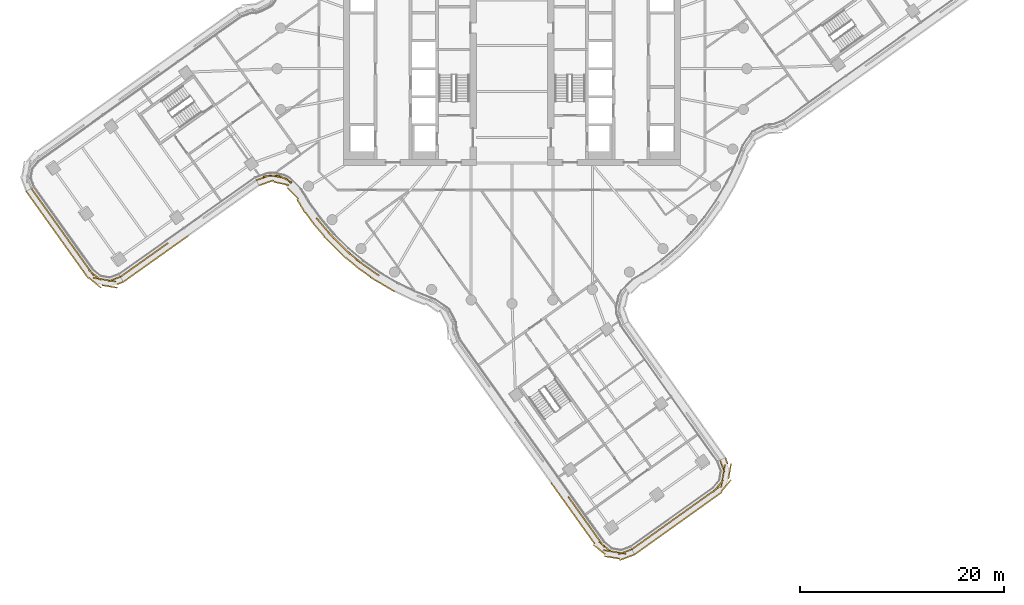
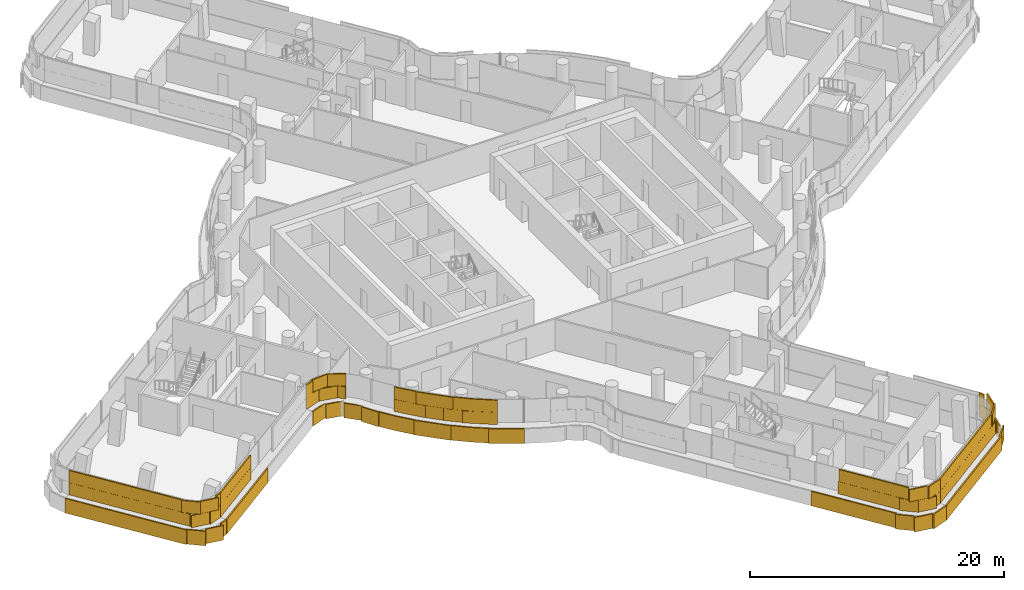
# One storey, part 25 of 31: 5 coverings.
"""IFC4 building model written with IfcOpenShell, lengths in metres."""

from ifc_helpers import new_model, si_unit, direction, frame, origin, origin_2d, place, context, subcontext, project, spatial, rectangle, extrude, material, layer, layer_set, type_object, element, save


model = new_model("IFC4")

# Units and contexts
model_context = context("Model", 3, precision=1e-05, world=origin(), true_north=direction((0.0, 1.0)))
body_context = subcontext(model_context, "Body", "Model", "MODEL_VIEW")
ifc_project = project(units=[si_unit("LENGTHUNIT", "METRE"), si_unit("AREAUNIT", "SQUARE_METRE"), si_unit("VOLUMEUNIT", "CUBIC_METRE"), si_unit("PLANEANGLEUNIT", "RADIAN"), si_unit("MASSUNIT", "GRAM", prefix="KILO")], contexts=[model_context])

# Site, building, storey
site_placement = place(None, origin())
site = spatial("IfcSite", under=ifc_project, at=site_placement, CompositionType="ELEMENT")
building_placement = place(site_placement, origin())
building = spatial("IfcBuilding", under=site, at=building_placement, Name="Tamarind Cross Interchange Tower", CompositionType="ELEMENT")
storey_placement = place(building_placement, frame((0.0, 0.0, 163.0)))
storey = spatial("IfcBuildingStorey", under=building, at=storey_placement, Name="L40", CompositionType="ELEMENT", Elevation=163.0)

# Coverings
ifc_material = material(Name="Terracotta", Category="masonry")
ifc_layer = layer(ifc_material, 0.1201171875)
ifc_layer_set = layer_set([ifc_layer], Name="Terracotta")
covering_type = type_object("IfcCoveringType", Name="Terracotta baguette screen unit", PredefinedType="MOLDING", material=ifc_layer_set)
covering_1_placement = place(storey_placement, origin())
element("IfcCovering", 1, at=covering_1_placement, inside=storey, type_object=covering_type, Name="SCR-L40-00-00", PredefinedType="MOLDING", context=body_context, shape_type="SweptSolid", body=[
    extrude(rectangle(XDim=1.510009765625, YDim=0.1201171875, at=origin_2d()), frame((12.34521484375, -46.62744140625, 1.404052734375), z_axis=(0.0, 0.0, 1.0), x_axis=(0.81388031548, 0.581032556811, 0.0)), (0.0, 0.0, 1.0), 1.1669921875),
    extrude(rectangle(XDim=1.52001953125, YDim=0.1201171875, at=origin_2d()), frame((13.566162109375, -45.755859375, 1.404052734375), z_axis=(0.0, 0.0, 1.0), x_axis=(0.81388031548, 0.581032556811, 0.0)), (0.0, 0.0, 1.0), 1.1669921875),
    extrude(rectangle(XDim=1.52001953125, YDim=0.1201171875, at=origin_2d()), frame((14.786865234375, -44.884521484375, 1.404052734375), z_axis=(0.0, 0.0, 1.0), x_axis=(0.81388031548, 0.581032556811, 0.0)), (0.0, 0.0, 1.0), 1.1669921875),
    extrude(rectangle(XDim=1.52001953125, YDim=0.1201171875, at=origin_2d()), frame((16.0078125, -44.012939453125, 1.404052734375), z_axis=(0.0, 0.0, 1.0), x_axis=(0.81388031548, 0.581032556811, 0.0)), (0.0, 0.0, 1.0), 1.1669921875),
    extrude(rectangle(XDim=1.52001953125, YDim=0.1201171875, at=origin_2d()), frame((17.228515625, -43.141357421875, 1.404052734375), z_axis=(0.0, 0.0, 1.0), x_axis=(0.81388031548, 0.581032556811, 0.0)), (0.0, 0.0, 1.0), 1.1669921875),
    extrude(rectangle(XDim=1.52001953125, YDim=0.1201171875, at=origin_2d()), frame((18.44921875, -42.269775390625, 1.404052734375), z_axis=(0.0, 0.0, 1.0), x_axis=(0.81388031548, 0.581032556811, 0.0)), (0.0, 0.0, 1.0), 1.1669921875),
    extrude(rectangle(XDim=1.52001953125, YDim=0.1201171875, at=origin_2d()), frame((19.670166015625, -41.398193359375, 1.404052734375), z_axis=(0.0, 0.0, 1.0), x_axis=(0.81388031548, 0.581032556811, 0.0)), (0.0, 0.0, 1.0), 1.1669921875),
    extrude(rectangle(XDim=1.52001953125, YDim=0.1201171875, at=origin_2d()), frame((20.599609375, -40.25927734375, 1.404052734375), z_axis=(0.0, 0.0, 1.0), x_axis=(0.164648229139, 0.986352351161, 0.0)), (0.0, 0.0, 1.0), 1.1669921875),
    extrude(rectangle(XDim=1.259521484375, YDim=0.1201171875, at=origin_2d()), frame((20.595947265625, -38.925537109375, 1.404052734375), z_axis=(0.0, 0.0, 1.0), x_axis=(-0.350586626458, 0.936530307758, 0.0)), (0.0, 0.0, 1.0), 1.1669921875),
    extrude(rectangle(XDim=0.760009765625, YDim=0.1201171875, at=origin_2d()), frame((12.0400390625, -46.845458984375, 2.5791015625), z_axis=(0.0, 0.0, 1.0), x_axis=(0.81388031548, 0.581032556811, 0.0)), (0.0, 0.0, 1.0), 1.1669921875),
    extrude(rectangle(XDim=1.52001953125, YDim=0.1201171875, at=origin_2d()), frame((12.95556640625, -46.191650390625, 2.5791015625), z_axis=(0.0, 0.0, 1.0), x_axis=(0.81388031548, 0.581032556811, 0.0)), (0.0, 0.0, 1.0), 1.1669921875),
    extrude(rectangle(XDim=1.52001953125, YDim=0.1201171875, at=origin_2d()), frame((14.176513671875, -45.3203125, 2.5791015625), z_axis=(0.0, 0.0, 1.0), x_axis=(0.81388031548, 0.581032556811, 0.0)), (0.0, 0.0, 1.0), 1.1669921875),
    extrude(rectangle(XDim=1.52001953125, YDim=0.1201171875, at=origin_2d()), frame((15.397216796875, -44.44873046875, 2.5791015625), z_axis=(0.0, 0.0, 1.0), x_axis=(0.81388031548, 0.581032556811, 0.0)), (0.0, 0.0, 1.0), 1.1669921875),
    extrude(rectangle(XDim=1.52001953125, YDim=0.1201171875, at=origin_2d()), frame((16.6181640625, -43.5771484375, 2.5791015625), z_axis=(0.0, 0.0, 1.0), x_axis=(0.81388031548, 0.581032556811, 0.0)), (0.0, 0.0, 1.0), 1.1669921875),
    extrude(rectangle(XDim=1.52001953125, YDim=0.1201171875, at=origin_2d()), frame((17.8388671875, -42.70556640625, 2.5791015625), z_axis=(0.0, 0.0, 1.0), x_axis=(0.81388031548, 0.581032556811, 0.0)), (0.0, 0.0, 1.0), 1.1669921875),
    extrude(rectangle(XDim=1.52001953125, YDim=0.1201171875, at=origin_2d()), frame((19.059814453125, -41.833984375, 2.5791015625), z_axis=(0.0, 0.0, 1.0), x_axis=(0.81388031548, 0.581032556811, 0.0)), (0.0, 0.0, 1.0), 1.1669921875),
    extrude(rectangle(XDim=1.52001953125, YDim=0.1201171875, at=origin_2d()), frame((20.19580078125, -40.87158203125, 2.5791015625), z_axis=(0.0, 0.0, 1.0), x_axis=(0.635765724703, 0.771882078618, 0.0)), (0.0, 0.0, 1.0), 1.1669921875),
    extrude(rectangle(XDim=1.52001953125, YDim=0.1201171875, at=origin_2d()), frame((20.722900390625, -39.51953125, 2.5791015625), z_axis=(0.0, 0.0, 1.0), x_axis=(0.164648229139, 0.986352351161, 0.0)), (0.0, 0.0, 1.0), 1.1669921875),
    extrude(rectangle(XDim=0.509521484375, YDim=0.1201171875, at=origin_2d()), frame((20.46435546875, -38.574462890625, 2.5791015625), z_axis=(0.0, 0.0, 1.0), x_axis=(-0.350586626458, 0.936530307758, 0.0)), (0.0, 0.0, 1.0), 1.1669921875),
    extrude(rectangle(XDim=1.510009765625, YDim=0.1201171875, at=origin_2d()), frame((12.621337890625, -47.1357421875, 0.00390625), z_axis=(0.0, 0.0, 1.0), x_axis=(0.81388031548, 0.581032556811, 0.0)), (0.0, 0.0, 1.0), 1.39208984375),
    extrude(rectangle(XDim=1.52001953125, YDim=0.1201171875, at=origin_2d()), frame((13.838134765625, -46.26708984375, 0.00390625), z_axis=(0.0, 0.0, 1.0), x_axis=(0.81388031548, 0.581032556811, 0.0)), (0.0, 0.0, 1.0), 1.39208984375),
    extrude(rectangle(XDim=1.52001953125, YDim=0.1201171875, at=origin_2d()), frame((15.058837890625, -45.3955078125, 0.00390625), z_axis=(0.0, 0.0, 1.0), x_axis=(0.81388031548, 0.581032556811, 0.0)), (0.0, 0.0, 1.0), 1.39208984375),
    extrude(rectangle(XDim=1.52001953125, YDim=0.1201171875, at=origin_2d()), frame((16.27978515625, -44.52392578125, 0.00390625), z_axis=(0.0, 0.0, 1.0), x_axis=(0.81388031548, 0.581032556811, 0.0)), (0.0, 0.0, 1.0), 1.39208984375),
    extrude(rectangle(XDim=1.52001953125, YDim=0.1201171875, at=origin_2d()), frame((17.50048828125, -43.65234375, 0.00390625), z_axis=(0.0, 0.0, 1.0), x_axis=(0.81388031548, 0.581032556811, 0.0)), (0.0, 0.0, 1.0), 1.39208984375),
    extrude(rectangle(XDim=1.52001953125, YDim=0.1201171875, at=origin_2d()), frame((18.721435546875, -42.78076171875, 0.00390625), z_axis=(0.0, 0.0, 1.0), x_axis=(0.81388031548, 0.581032556811, 0.0)), (0.0, 0.0, 1.0), 1.39208984375),
    extrude(rectangle(XDim=1.52001953125, YDim=0.1201171875, at=origin_2d()), frame((19.942138671875, -41.909423828125, 0.00390625), z_axis=(0.0, 0.0, 1.0), x_axis=(0.81388031548, 0.581032556811, 0.0)), (0.0, 0.0, 1.0), 1.39208984375),
    extrude(rectangle(XDim=1.52001953125, YDim=0.1201171875, at=origin_2d()), frame((20.971435546875, -40.83251953125, 0.00390625), z_axis=(0.0, 0.0, 1.0), x_axis=(0.635765724703, 0.771882078618, 0.0)), (0.0, 0.0, 1.0), 1.39208984375),
    extrude(rectangle(XDim=1.52001953125, YDim=0.1201171875, at=origin_2d()), frame((21.32470703125, -39.4013671875, 0.00390625), z_axis=(0.0, 0.0, 1.0), x_axis=(0.164648229139, 0.986352351161, 0.0)), (0.0, 0.0, 1.0), 1.39208984375),
    extrude(rectangle(XDim=0.676513671875, YDim=0.1201171875, at=origin_2d()), frame((21.0068359375, -38.3857421875, 0.00390625), z_axis=(0.0, 0.0, 1.0), x_axis=(-0.350586626458, 0.936530307758, 0.0)), (0.0, 0.0, 1.0), 1.39208984375),
])
covering_2_placement = place(storey_placement, origin())
element("IfcCovering", 2, at=covering_2_placement, inside=storey, type_object=covering_type, Name="SCR-L40-12-00", PredefinedType="MOLDING", context=body_context, shape_type="SweptSolid", body=[
    extrude(rectangle(XDim=1.510009765625, YDim=0.1201171875, at=origin_2d()), frame((-46.62744140625, -12.34521484375, 1.404052734375), z_axis=(0.0, 0.0, 1.0), x_axis=(0.581032556811, -0.81388031548, 0.0)), (0.0, 0.0, 1.0), 1.1669921875),
    extrude(rectangle(XDim=1.52001953125, YDim=0.1201171875, at=origin_2d()), frame((-45.755859375, -13.566162109375, 1.404052734375), z_axis=(0.0, 0.0, 1.0), x_axis=(0.581032556811, -0.81388031548, 0.0)), (0.0, 0.0, 1.0), 1.1669921875),
    extrude(rectangle(XDim=1.52001953125, YDim=0.1201171875, at=origin_2d()), frame((-44.884521484375, -14.786865234375, 1.404052734375), z_axis=(0.0, 0.0, 1.0), x_axis=(0.581032556811, -0.81388031548, 0.0)), (0.0, 0.0, 1.0), 1.1669921875),
    extrude(rectangle(XDim=1.52001953125, YDim=0.1201171875, at=origin_2d()), frame((-44.012939453125, -16.0078125, 1.404052734375), z_axis=(0.0, 0.0, 1.0), x_axis=(0.581032556811, -0.81388031548, 0.0)), (0.0, 0.0, 1.0), 1.1669921875),
    extrude(rectangle(XDim=1.52001953125, YDim=0.1201171875, at=origin_2d()), frame((-43.141357421875, -17.228515625, 1.404052734375), z_axis=(0.0, 0.0, 1.0), x_axis=(0.581032556811, -0.81388031548, 0.0)), (0.0, 0.0, 1.0), 1.1669921875),
    extrude(rectangle(XDim=1.52001953125, YDim=0.1201171875, at=origin_2d()), frame((-42.269775390625, -18.44921875, 1.404052734375), z_axis=(0.0, 0.0, 1.0), x_axis=(0.581032556811, -0.81388031548, 0.0)), (0.0, 0.0, 1.0), 1.1669921875),
    extrude(rectangle(XDim=1.52001953125, YDim=0.1201171875, at=origin_2d()), frame((-41.398193359375, -19.670166015625, 1.404052734375), z_axis=(0.0, 0.0, 1.0), x_axis=(0.581032556811, -0.81388031548, 0.0)), (0.0, 0.0, 1.0), 1.1669921875),
    extrude(rectangle(XDim=1.52001953125, YDim=0.1201171875, at=origin_2d()), frame((-40.25927734375, -20.599609375, 1.404052734375), z_axis=(0.0, 0.0, 1.0), x_axis=(0.986352351161, -0.164648229139, 0.0)), (0.0, 0.0, 1.0), 1.1669921875),
    extrude(rectangle(XDim=1.259521484375, YDim=0.1201171875, at=origin_2d()), frame((-38.925537109375, -20.595947265625, 1.404052734375), z_axis=(0.0, 0.0, 1.0), x_axis=(0.936530307758, 0.350586626458, 0.0)), (0.0, 0.0, 1.0), 1.1669921875),
    extrude(rectangle(XDim=0.760009765625, YDim=0.1201171875, at=origin_2d()), frame((-46.845458984375, -12.0400390625, 2.5791015625), z_axis=(0.0, 0.0, 1.0), x_axis=(0.581032556811, -0.81388031548, 0.0)), (0.0, 0.0, 1.0), 1.1669921875),
    extrude(rectangle(XDim=1.52001953125, YDim=0.1201171875, at=origin_2d()), frame((-46.191650390625, -12.95556640625, 2.5791015625), z_axis=(0.0, 0.0, 1.0), x_axis=(0.581032556811, -0.81388031548, 0.0)), (0.0, 0.0, 1.0), 1.1669921875),
    extrude(rectangle(XDim=1.52001953125, YDim=0.1201171875, at=origin_2d()), frame((-45.3203125, -14.176513671875, 2.5791015625), z_axis=(0.0, 0.0, 1.0), x_axis=(0.581032556811, -0.81388031548, 0.0)), (0.0, 0.0, 1.0), 1.1669921875),
    extrude(rectangle(XDim=1.52001953125, YDim=0.1201171875, at=origin_2d()), frame((-44.44873046875, -15.397216796875, 2.5791015625), z_axis=(0.0, 0.0, 1.0), x_axis=(0.581032556811, -0.81388031548, 0.0)), (0.0, 0.0, 1.0), 1.1669921875),
    extrude(rectangle(XDim=1.52001953125, YDim=0.1201171875, at=origin_2d()), frame((-43.5771484375, -16.6181640625, 2.5791015625), z_axis=(0.0, 0.0, 1.0), x_axis=(0.581032556811, -0.81388031548, 0.0)), (0.0, 0.0, 1.0), 1.1669921875),
    extrude(rectangle(XDim=1.52001953125, YDim=0.1201171875, at=origin_2d()), frame((-42.70556640625, -17.8388671875, 2.5791015625), z_axis=(0.0, 0.0, 1.0), x_axis=(0.581032556811, -0.81388031548, 0.0)), (0.0, 0.0, 1.0), 1.1669921875),
    extrude(rectangle(XDim=1.52001953125, YDim=0.1201171875, at=origin_2d()), frame((-41.833984375, -19.059814453125, 2.5791015625), z_axis=(0.0, 0.0, 1.0), x_axis=(0.581032556811, -0.81388031548, 0.0)), (0.0, 0.0, 1.0), 1.1669921875),
    extrude(rectangle(XDim=1.52001953125, YDim=0.1201171875, at=origin_2d()), frame((-40.87158203125, -20.19580078125, 2.5791015625), z_axis=(0.0, 0.0, 1.0), x_axis=(0.771882078618, -0.635765724703, 0.0)), (0.0, 0.0, 1.0), 1.1669921875),
    extrude(rectangle(XDim=1.52001953125, YDim=0.1201171875, at=origin_2d()), frame((-39.51953125, -20.722900390625, 2.5791015625), z_axis=(0.0, 0.0, 1.0), x_axis=(0.986352351161, -0.164648229139, 0.0)), (0.0, 0.0, 1.0), 1.1669921875),
    extrude(rectangle(XDim=0.509521484375, YDim=0.1201171875, at=origin_2d()), frame((-38.574462890625, -20.46435546875, 2.5791015625), z_axis=(0.0, 0.0, 1.0), x_axis=(0.936530307758, 0.350586626458, 0.0)), (0.0, 0.0, 1.0), 1.1669921875),
    extrude(rectangle(XDim=1.510009765625, YDim=0.1201171875, at=origin_2d()), frame((-47.1357421875, -12.621337890625, 0.00390625), z_axis=(0.0, 0.0, 1.0), x_axis=(0.581032556811, -0.81388031548, 0.0)), (0.0, 0.0, 1.0), 1.39208984375),
    extrude(rectangle(XDim=1.52001953125, YDim=0.1201171875, at=origin_2d()), frame((-46.26708984375, -13.838134765625, 0.00390625), z_axis=(0.0, 0.0, 1.0), x_axis=(0.581032556811, -0.81388031548, 0.0)), (0.0, 0.0, 1.0), 1.39208984375),
    extrude(rectangle(XDim=1.52001953125, YDim=0.1201171875, at=origin_2d()), frame((-45.3955078125, -15.058837890625, 0.00390625), z_axis=(0.0, 0.0, 1.0), x_axis=(0.581032556811, -0.81388031548, 0.0)), (0.0, 0.0, 1.0), 1.39208984375),
    extrude(rectangle(XDim=1.52001953125, YDim=0.1201171875, at=origin_2d()), frame((-44.52392578125, -16.27978515625, 0.00390625), z_axis=(0.0, 0.0, 1.0), x_axis=(0.581032556811, -0.81388031548, 0.0)), (0.0, 0.0, 1.0), 1.39208984375),
    extrude(rectangle(XDim=1.52001953125, YDim=0.1201171875, at=origin_2d()), frame((-43.65234375, -17.50048828125, 0.00390625), z_axis=(0.0, 0.0, 1.0), x_axis=(0.581032556811, -0.81388031548, 0.0)), (0.0, 0.0, 1.0), 1.39208984375),
    extrude(rectangle(XDim=1.52001953125, YDim=0.1201171875, at=origin_2d()), frame((-42.78076171875, -18.721435546875, 0.00390625), z_axis=(0.0, 0.0, 1.0), x_axis=(0.581032556811, -0.81388031548, 0.0)), (0.0, 0.0, 1.0), 1.39208984375),
    extrude(rectangle(XDim=1.52001953125, YDim=0.1201171875, at=origin_2d()), frame((-41.909423828125, -19.942138671875, 0.00390625), z_axis=(0.0, 0.0, 1.0), x_axis=(0.581032556811, -0.81388031548, 0.0)), (0.0, 0.0, 1.0), 1.39208984375),
    extrude(rectangle(XDim=1.52001953125, YDim=0.1201171875, at=origin_2d()), frame((-40.83251953125, -20.971435546875, 0.00390625), z_axis=(0.0, 0.0, 1.0), x_axis=(0.771882078618, -0.635765724703, 0.0)), (0.0, 0.0, 1.0), 1.39208984375),
    extrude(rectangle(XDim=1.52001953125, YDim=0.1201171875, at=origin_2d()), frame((-39.4013671875, -21.32470703125, 0.00390625), z_axis=(0.0, 0.0, 1.0), x_axis=(0.986352351161, -0.164648229139, 0.0)), (0.0, 0.0, 1.0), 1.39208984375),
    extrude(rectangle(XDim=0.676513671875, YDim=0.1201171875, at=origin_2d()), frame((-38.3857421875, -21.0068359375, 0.00390625), z_axis=(0.0, 0.0, 1.0), x_axis=(0.936530307758, 0.350586626458, 0.0)), (0.0, 0.0, 1.0), 1.39208984375),
])
covering_3_placement = place(storey_placement, origin())
element("IfcCovering", 3, at=covering_3_placement, inside=storey, type_object=covering_type, Name="SCR-L40-13-00", PredefinedType="MOLDING", context=body_context, shape_type="SweptSolid", body=[
    extrude(rectangle(XDim=1.510009765625, YDim=0.1201171875, at=origin_2d()), frame((-37.72900390625, -19.9423828125, 1.404052734375), z_axis=(0.0, 0.0, 1.0), x_axis=(0.815214734027, 0.579158818828, 0.0)), (0.0, 0.0, 1.0), 1.1669921875),
    extrude(rectangle(XDim=1.52001953125, YDim=0.1201171875, at=origin_2d()), frame((-36.50634765625, -19.07373046875, 1.404052734375), z_axis=(0.0, 0.0, 1.0), x_axis=(0.815214734027, 0.579158818828, 0.0)), (0.0, 0.0, 1.0), 1.1669921875),
    extrude(rectangle(XDim=1.52001953125, YDim=0.1201171875, at=origin_2d()), frame((-35.283447265625, -18.205078125, 1.404052734375), z_axis=(0.0, 0.0, 1.0), x_axis=(0.815214734027, 0.579158818828, 0.0)), (0.0, 0.0, 1.0), 1.1669921875),
    extrude(rectangle(XDim=1.236572265625, YDim=0.1201171875, at=origin_2d()), frame((-34.172119140625, -17.41552734375, 1.404052734375), z_axis=(0.0, 0.0, 1.0), x_axis=(0.815214734027, 0.579158818828, 0.0)), (0.0, 0.0, 1.0), 1.1669921875),
    extrude(rectangle(XDim=0.760009765625, YDim=0.1201171875, at=origin_2d()), frame((-38.03466796875, -20.15966796875, 2.5791015625), z_axis=(0.0, 0.0, 1.0), x_axis=(0.815214734027, 0.579158818828, 0.0)), (0.0, 0.0, 1.0), 1.1669921875),
    extrude(rectangle(XDim=1.52001953125, YDim=0.1201171875, at=origin_2d()), frame((-37.11767578125, -19.508056640625, 2.5791015625), z_axis=(0.0, 0.0, 1.0), x_axis=(0.815214734027, 0.579158818828, 0.0)), (0.0, 0.0, 1.0), 1.1669921875),
    extrude(rectangle(XDim=1.52001953125, YDim=0.1201171875, at=origin_2d()), frame((-35.894775390625, -18.639404296875, 2.5791015625), z_axis=(0.0, 0.0, 1.0), x_axis=(0.815214734027, 0.579158818828, 0.0)), (0.0, 0.0, 1.0), 1.1669921875),
    extrude(rectangle(XDim=1.52001953125, YDim=0.1201171875, at=origin_2d()), frame((-34.671875, -17.7705078125, 2.5791015625), z_axis=(0.0, 0.0, 1.0), x_axis=(0.815214734027, 0.579158818828, 0.0)), (0.0, 0.0, 1.0), 1.1669921875),
    extrude(rectangle(XDim=0.486572265625, YDim=0.1201171875, at=origin_2d()), frame((-33.866455078125, -17.1982421875, 2.5791015625), z_axis=(0.0, 0.0, 1.0), x_axis=(0.815214734027, 0.579158818828, 0.0)), (0.0, 0.0, 1.0), 1.1669921875),
    extrude(rectangle(XDim=1.510009765625, YDim=0.1201171875, at=origin_2d()), frame((-37.45361328125, -20.450927734375, 0.00390625), z_axis=(0.0, 0.0, 1.0), x_axis=(0.815214734027, 0.579158818828, 0.0)), (0.0, 0.0, 1.0), 1.39208984375),
    extrude(rectangle(XDim=1.52001953125, YDim=0.1201171875, at=origin_2d()), frame((-36.23486328125, -19.5849609375, 0.00390625), z_axis=(0.0, 0.0, 1.0), x_axis=(0.815214734027, 0.579158818828, 0.0)), (0.0, 0.0, 1.0), 1.39208984375),
    extrude(rectangle(XDim=1.52001953125, YDim=0.1201171875, at=origin_2d()), frame((-35.011962890625, -18.71630859375, 0.00390625), z_axis=(0.0, 0.0, 1.0), x_axis=(0.815214734027, 0.579158818828, 0.0)), (0.0, 0.0, 1.0), 1.39208984375),
    extrude(rectangle(XDim=1.52001953125, YDim=0.1201171875, at=origin_2d()), frame((-33.789306640625, -17.84765625, 0.00390625), z_axis=(0.0, 0.0, 1.0), x_axis=(0.815214734027, 0.579158818828, 0.0)), (0.0, 0.0, 1.0), 1.39208984375),
    extrude(rectangle(XDim=1.52001953125, YDim=0.1201171875, at=origin_2d()), frame((-32.56640625, -16.978759765625, 0.00390625), z_axis=(0.0, 0.0, 1.0), x_axis=(0.815214734027, 0.579158818828, 0.0)), (0.0, 0.0, 1.0), 1.39208984375),
    extrude(rectangle(XDim=0.33447265625, YDim=0.1201171875, at=origin_2d()), frame((-31.82666015625, -16.453369140625, 0.00390625), z_axis=(0.0, 0.0, 1.0), x_axis=(0.815214734027, 0.579158818828, 0.0)), (0.0, 0.0, 1.0), 1.39208984375),
])
covering_4_placement = place(storey_placement, origin())
element("IfcCovering", 4, at=covering_4_placement, inside=storey, type_object=covering_type, Name="SCR-L40-14-00", PredefinedType="MOLDING", context=body_context, shape_type="SweptSolid", body=[
    extrude(rectangle(XDim=1.510009765625, YDim=0.1201171875, at=origin_2d()), frame((-24.32763671875, -10.669921875, 1.404052734375), z_axis=(0.0, 0.0, 1.0), x_axis=(0.941268895253, 0.337657913915, 0.0)), (0.0, 0.0, 1.0), 1.1669921875),
    extrude(rectangle(XDim=1.52001953125, YDim=0.1201171875, at=origin_2d()), frame((-22.86669921875, -10.59814453125, 1.404052734375), z_axis=(0.0, 0.0, 1.0), x_axis=(0.978711265079, -0.205241953817, 0.0)), (0.0, 0.0, 1.0), 1.1669921875),
    extrude(rectangle(XDim=0.699462890625, YDim=0.1201171875, at=origin_2d()), frame((-21.86474609375, -10.995849609375, 1.404052734375), z_axis=(0.0, 0.0, 1.0), x_axis=(0.708745099865, -0.705464657809, 0.0)), (0.0, 0.0, 1.0), 1.1669921875),
    extrude(rectangle(XDim=1.120361328125, YDim=0.1201171875, at=origin_2d()), frame((-18.7998046875, -15.043701171875, 1.404052734375), z_axis=(0.0, 0.0, 1.0), x_axis=(0.64957723968, -0.760295606781, 0.0)), (0.0, 0.0, 1.0), 1.1669921875),
    extrude(rectangle(XDim=1.52001953125, YDim=0.1201171875, at=origin_2d()), frame((-17.951904296875, -16.0361328125, 1.404052734375), z_axis=(0.0, 0.0, 1.0), x_axis=(0.64957723968, -0.760295606781, 0.0)), (0.0, 0.0, 1.0), 1.1669921875),
    extrude(rectangle(XDim=1.52001953125, YDim=0.1201171875, at=origin_2d()), frame((-16.914794921875, -17.1181640625, 1.404052734375), z_axis=(0.0, 0.0, 1.0), x_axis=(0.710143317658, -0.704057148523, 0.0)), (0.0, 0.0, 1.0), 1.1669921875),
    extrude(rectangle(XDim=1.52001953125, YDim=0.1201171875, at=origin_2d()), frame((-15.8193359375, -18.14111328125, 1.404052734375), z_axis=(0.0, 0.0, 1.0), x_axis=(0.765858396687, -0.643009266048, 0.0)), (0.0, 0.0, 1.0), 1.1669921875),
    extrude(rectangle(XDim=1.52001953125, YDim=0.1201171875, at=origin_2d()), frame((-14.667724609375, -19.10205078125, 1.404052734375), z_axis=(0.0, 0.0, 1.0), x_axis=(0.816341886298, -0.577568978284, 0.0)), (0.0, 0.0, 1.0), 1.1669921875),
    extrude(rectangle(XDim=1.267822265625, YDim=0.1201171875, at=origin_2d()), frame((-13.542236328125, -19.8984375, 1.404052734375), z_axis=(0.0, 0.0, 1.0), x_axis=(0.816341886298, -0.577568978284, 0.0)), (0.0, 0.0, 1.0), 1.1669921875),
    extrude(rectangle(XDim=0.760009765625, YDim=0.1201171875, at=origin_2d()), frame((-24.6806640625, -10.796630859375, 2.5791015625), z_axis=(0.0, 0.0, 1.0), x_axis=(0.941268895253, 0.337657913915, 0.0)), (0.0, 0.0, 1.0), 1.1669921875),
    extrude(rectangle(XDim=1.52001953125, YDim=0.1201171875, at=origin_2d()), frame((-23.6044921875, -10.49951171875, 2.5791015625), z_axis=(0.0, 0.0, 1.0), x_axis=(0.997630202336, 0.06880391985, 0.0)), (0.0, 0.0, 1.0), 1.1669921875),
    extrude(rectangle(XDim=1.449462890625, YDim=0.1201171875, at=origin_2d()), frame((-22.18212890625, -10.8017578125, 2.5791015625), z_axis=(0.0, 0.0, 1.0), x_axis=(0.885939688838, -0.463800461127, 0.0)), (0.0, 0.0, 1.0), 1.1669921875),
    extrude(rectangle(XDim=0.370361328125, YDim=0.1201171875, at=origin_2d()), frame((-19.033447265625, -14.750732421875, 2.5791015625), z_axis=(0.0, 0.0, 1.0), x_axis=(0.584573890505, -0.811340475102, 0.0)), (0.0, 0.0, 1.0), 1.1669921875),
    extrude(rectangle(XDim=1.52001953125, YDim=0.1201171875, at=origin_2d()), frame((-18.439208984375, -15.4658203125, 2.5791015625), z_axis=(0.0, 0.0, 1.0), x_axis=(0.64957723968, -0.760295606781, 0.0)), (0.0, 0.0, 1.0), 1.1669921875),
    extrude(rectangle(XDim=1.52001953125, YDim=0.1201171875, at=origin_2d()), frame((-17.447509765625, -16.590087890625, 2.5791015625), z_axis=(0.0, 0.0, 1.0), x_axis=(0.710143317658, -0.704057148523, 0.0)), (0.0, 0.0, 1.0), 1.1669921875),
    extrude(rectangle(XDim=1.52001953125, YDim=0.1201171875, at=origin_2d()), frame((-16.38232421875, -17.646240234375, 2.5791015625), z_axis=(0.0, 0.0, 1.0), x_axis=(0.710143317658, -0.704057148523, 0.0)), (0.0, 0.0, 1.0), 1.1669921875),
    extrude(rectangle(XDim=1.52001953125, YDim=0.1201171875, at=origin_2d()), frame((-15.244873046875, -18.623291015625, 2.5791015625), z_axis=(0.0, 0.0, 1.0), x_axis=(0.765858396687, -0.643009266048, 0.0)), (0.0, 0.0, 1.0), 1.1669921875),
    extrude(rectangle(XDim=1.52001953125, YDim=0.1201171875, at=origin_2d()), frame((-14.0556640625, -19.53515625, 2.5791015625), z_axis=(0.0, 0.0, 1.0), x_axis=(0.816341886298, -0.577568978284, 0.0)), (0.0, 0.0, 1.0), 1.1669921875),
    extrude(rectangle(XDim=0.517822265625, YDim=0.1201171875, at=origin_2d()), frame((-13.236083984375, -20.114990234375, 2.5791015625), z_axis=(0.0, 0.0, 1.0), x_axis=(0.816341886298, -0.577568978284, 0.0)), (0.0, 0.0, 1.0), 1.1669921875),
    extrude(rectangle(XDim=1.510009765625, YDim=0.1201171875, at=origin_2d()), frame((-24.054931640625, -11.181884765625, 0.00390625), z_axis=(0.0, 0.0, 1.0), x_axis=(0.941268895253, 0.337657913915, 0.0)), (0.0, 0.0, 1.0), 1.39208984375),
    extrude(rectangle(XDim=1.52001953125, YDim=0.1201171875, at=origin_2d()), frame((-22.595703125, -11.241455078125, 0.00390625), z_axis=(0.0, 0.0, 1.0), x_axis=(0.978711265079, -0.205241953817, 0.0)), (0.0, 0.0, 1.0), 1.39208984375),
    extrude(rectangle(XDim=1.52001953125, YDim=0.1201171875, at=origin_2d()), frame((-21.464599609375, -12.203857421875, 0.00390625), z_axis=(0.0, 0.0, 1.0), x_axis=(0.708745099865, -0.705464657809, 0.0)), (0.0, 0.0, 1.0), 1.39208984375),
    extrude(rectangle(XDim=1.52001953125, YDim=0.1201171875, at=origin_2d()), frame((-20.656005859375, -13.461669921875, 0.00390625), z_axis=(0.0, 0.0, 1.0), x_axis=(0.516716751122, -0.856156410424, 0.0)), (0.0, 0.0, 1.0), 1.39208984375),
    extrude(rectangle(XDim=1.52001953125, YDim=0.1201171875, at=origin_2d()), frame((-19.788330078125, -14.684814453125, 0.00390625), z_axis=(0.0, 0.0, 1.0), x_axis=(0.584573890505, -0.811340475102, 0.0)), (0.0, 0.0, 1.0), 1.39208984375),
    extrude(rectangle(XDim=1.52001953125, YDim=0.1201171875, at=origin_2d()), frame((-18.857666015625, -15.859619140625, 0.00390625), z_axis=(0.0, 0.0, 1.0), x_axis=(0.64957723968, -0.760295606781, 0.0)), (0.0, 0.0, 1.0), 1.39208984375),
    extrude(rectangle(XDim=1.52001953125, YDim=0.1201171875, at=origin_2d()), frame((-17.865966796875, -16.983642578125, 0.00390625), z_axis=(0.0, 0.0, 1.0), x_axis=(0.710143317658, -0.704057148523, 0.0)), (0.0, 0.0, 1.0), 1.39208984375),
    extrude(rectangle(XDim=1.52001953125, YDim=0.1201171875, at=origin_2d()), frame((-16.80078125, -18.039794921875, 0.00390625), z_axis=(0.0, 0.0, 1.0), x_axis=(0.710143317658, -0.704057148523, 0.0)), (0.0, 0.0, 1.0), 1.39208984375),
    extrude(rectangle(XDim=1.52001953125, YDim=0.1201171875, at=origin_2d()), frame((-15.665771484375, -19.01953125, 0.00390625), z_axis=(0.0, 0.0, 1.0), x_axis=(0.765858396687, -0.643009266048, 0.0)), (0.0, 0.0, 1.0), 1.39208984375),
    extrude(rectangle(XDim=1.52001953125, YDim=0.1201171875, at=origin_2d()), frame((-14.48095703125, -19.937255859375, 0.00390625), z_axis=(0.0, 0.0, 1.0), x_axis=(0.816341886298, -0.577568978284, 0.0)), (0.0, 0.0, 1.0), 1.39208984375),
    extrude(rectangle(XDim=1.52001953125, YDim=0.1201171875, at=origin_2d()), frame((-13.24853515625, -20.79150390625, 0.00390625), z_axis=(0.0, 0.0, 1.0), x_axis=(0.861248933065, -0.508183308752, 0.0)), (0.0, 0.0, 1.0), 1.39208984375),
    extrude(rectangle(XDim=1.30810546875, YDim=0.1201171875, at=origin_2d()), frame((-12.0478515625, -21.5, 0.00390625), z_axis=(0.0, 0.0, 1.0), x_axis=(0.861248933065, -0.508183308752, 0.0)), (0.0, 0.0, 1.0), 1.39208984375),
])
covering_5_placement = place(storey_placement, origin())
element("IfcCovering", 5, at=covering_5_placement, inside=storey, type_object=covering_type, Name="SCR-L40-15-02", PredefinedType="MOLDING", context=body_context, shape_type="SweptSolid", body=[
    extrude(rectangle(XDim=0.837890625, YDim=0.1201171875, at=origin_2d()), frame((5.744384765625, -42.2490234375, 1.404052734375), z_axis=(0.0, 0.0, 1.0), x_axis=(0.581032556811, -0.81388031548, 0.0)), (0.0, 0.0, 1.0), 1.1669921875),
    extrude(rectangle(XDim=1.52001953125, YDim=0.1201171875, at=origin_2d()), frame((6.420654296875, -43.1962890625, 1.404052734375), z_axis=(0.0, 0.0, 1.0), x_axis=(0.581032556811, -0.81388031548, 0.0)), (0.0, 0.0, 1.0), 1.1669921875),
    extrude(rectangle(XDim=1.52001953125, YDim=0.1201171875, at=origin_2d()), frame((7.292236328125, -44.4169921875, 1.404052734375), z_axis=(0.0, 0.0, 1.0), x_axis=(0.581032556811, -0.81388031548, 0.0)), (0.0, 0.0, 1.0), 1.1669921875),
    extrude(rectangle(XDim=1.52001953125, YDim=0.1201171875, at=origin_2d()), frame((8.163818359375, -45.637939453125, 1.404052734375), z_axis=(0.0, 0.0, 1.0), x_axis=(0.581032556811, -0.81388031548, 0.0)), (0.0, 0.0, 1.0), 1.1669921875),
    extrude(rectangle(XDim=1.52001953125, YDim=0.1201171875, at=origin_2d()), frame((9.100830078125, -46.797607421875, 1.404052734375), z_axis=(0.0, 0.0, 1.0), x_axis=(0.771882078618, -0.635765724703, 0.0)), (0.0, 0.0, 1.0), 1.1669921875),
    extrude(rectangle(XDim=1.52001953125, YDim=0.1201171875, at=origin_2d()), frame((10.42431640625, -47.387451171875, 1.404052734375), z_axis=(0.0, 0.0, 1.0), x_axis=(0.986352351161, -0.164648229139, 0.0)), (0.0, 0.0, 1.0), 1.1669921875),
    extrude(rectangle(XDim=0.642822265625, YDim=0.1201171875, at=origin_2d()), frame((11.4384765625, -47.17431640625, 1.404052734375), z_axis=(0.0, 0.0, 1.0), x_axis=(0.936530307758, 0.350586626458, 0.0)), (0.0, 0.0, 1.0), 1.1669921875),
    extrude(rectangle(XDim=1.52001953125, YDim=0.1201171875, at=origin_2d()), frame((5.98486328125, -42.5859375, 2.5791015625), z_axis=(0.0, 0.0, 1.0), x_axis=(0.581032556811, -0.81388031548, 0.0)), (0.0, 0.0, 1.0), 1.1669921875),
    extrude(rectangle(XDim=1.52001953125, YDim=0.1201171875, at=origin_2d()), frame((6.8564453125, -43.806640625, 2.5791015625), z_axis=(0.0, 0.0, 1.0), x_axis=(0.581032556811, -0.81388031548, 0.0)), (0.0, 0.0, 1.0), 1.1669921875),
    extrude(rectangle(XDim=1.52001953125, YDim=0.1201171875, at=origin_2d()), frame((7.72802734375, -45.027587890625, 2.5791015625), z_axis=(0.0, 0.0, 1.0), x_axis=(0.581032556811, -0.81388031548, 0.0)), (0.0, 0.0, 1.0), 1.1669921875),
    extrude(rectangle(XDim=1.52001953125, YDim=0.1201171875, at=origin_2d()), frame((8.599609375, -46.248291015625, 2.5791015625), z_axis=(0.0, 0.0, 1.0), x_axis=(0.581032556811, -0.81388031548, 0.0)), (0.0, 0.0, 1.0), 1.1669921875),
    extrude(rectangle(XDim=1.52001953125, YDim=0.1201171875, at=origin_2d()), frame((9.6845703125, -47.26416015625, 2.5791015625), z_axis=(0.0, 0.0, 1.0), x_axis=(0.986352351161, -0.164648229139, 0.0)), (0.0, 0.0, 1.0), 1.1669921875),
    extrude(rectangle(XDim=1.392822265625, YDim=0.1201171875, at=origin_2d()), frame((11.08740234375, -47.3056640625, 2.5791015625), z_axis=(0.0, 0.0, 1.0), x_axis=(0.936530307758, 0.350586626458, 0.0)), (0.0, 0.0, 1.0), 1.1669921875),
    extrude(rectangle(XDim=1.3330078125, YDim=0.1201171875, at=origin_2d()), frame((4.218994140625, -41.100341796875, 0.00390625), z_axis=(0.0, 0.0, 1.0), x_axis=(0.581032556811, -0.81388031548, 0.0)), (0.0, 0.0, 1.0), 1.39208984375),
    extrude(rectangle(XDim=1.52001953125, YDim=0.1201171875, at=origin_2d()), frame((5.036376953125, -42.2451171875, 0.00390625), z_axis=(0.0, 0.0, 1.0), x_axis=(0.581032556811, -0.81388031548, 0.0)), (0.0, 0.0, 1.0), 1.39208984375),
    extrude(rectangle(XDim=1.52001953125, YDim=0.1201171875, at=origin_2d()), frame((5.907958984375, -43.4658203125, 0.00390625), z_axis=(0.0, 0.0, 1.0), x_axis=(0.581032556811, -0.81388031548, 0.0)), (0.0, 0.0, 1.0), 1.39208984375),
    extrude(rectangle(XDim=1.52001953125, YDim=0.1201171875, at=origin_2d()), frame((6.779541015625, -44.6865234375, 0.00390625), z_axis=(0.0, 0.0, 1.0), x_axis=(0.581032556811, -0.81388031548, 0.0)), (0.0, 0.0, 1.0), 1.39208984375),
    extrude(rectangle(XDim=1.52001953125, YDim=0.1201171875, at=origin_2d()), frame((7.651123046875, -45.907470703125, 0.00390625), z_axis=(0.0, 0.0, 1.0), x_axis=(0.581032556811, -0.81388031548, 0.0)), (0.0, 0.0, 1.0), 1.39208984375),
    extrude(rectangle(XDim=1.52001953125, YDim=0.1201171875, at=origin_2d()), frame((8.55859375, -47.0947265625, 0.00390625), z_axis=(0.0, 0.0, 1.0), x_axis=(0.771882078618, -0.635765724703, 0.0)), (0.0, 0.0, 1.0), 1.39208984375),
    extrude(rectangle(XDim=1.52001953125, YDim=0.1201171875, at=origin_2d()), frame((9.7998046875, -47.865234375, 0.00390625), z_axis=(0.0, 0.0, 1.0), x_axis=(0.986352351161, -0.164648229139, 0.0)), (0.0, 0.0, 1.0), 1.39208984375),
    extrude(rectangle(XDim=1.52001953125, YDim=0.1201171875, at=origin_2d()), frame((11.254638671875, -47.85595703125, 0.00390625), z_axis=(0.0, 0.0, 1.0), x_axis=(0.936530307758, 0.350586626458, 0.0)), (0.0, 0.0, 1.0), 1.39208984375),
    extrude(rectangle(XDim=0.063232421875, YDim=0.1201171875, at=origin_2d()), frame((11.977294921875, -47.58544921875, 0.00390625), z_axis=(0.0, 0.0, 1.0), x_axis=(0.936530307758, 0.350586626458, 0.0)), (0.0, 0.0, 1.0), 1.39208984375),
])

save(model, "model.ifc")
